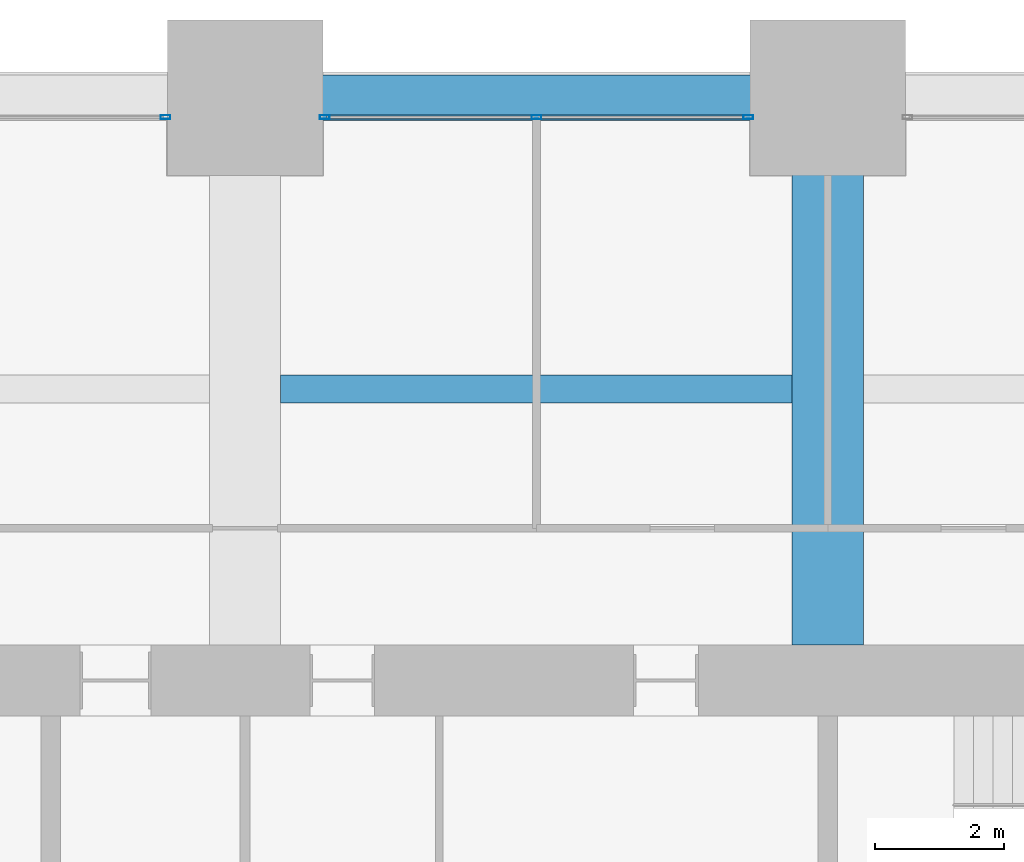
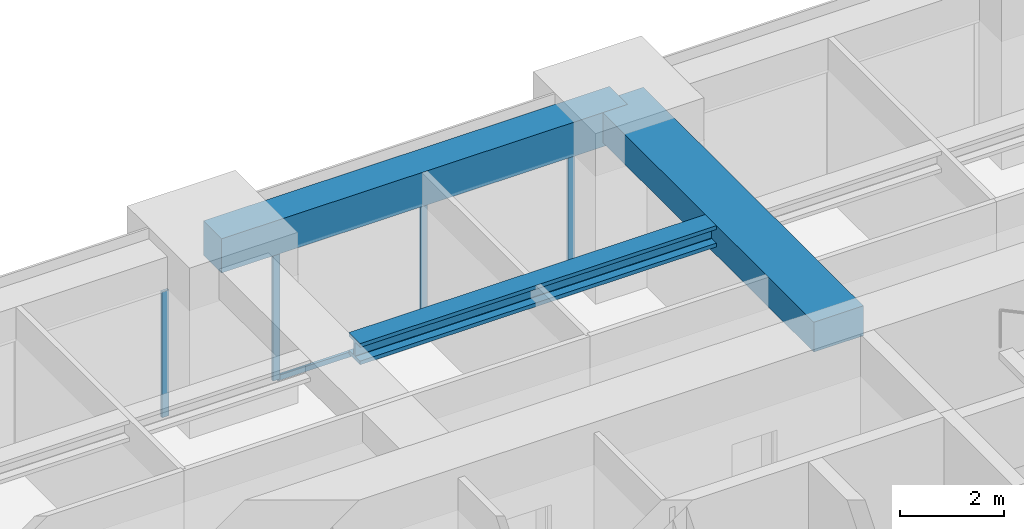
# One storey, part 29 of 41: 5 members, 3 beams, 2 elements without a shape of their own.
"""IFC4 building model written with IfcOpenShell, lengths in metres."""

from ifc_helpers import new_model, si_unit, direction, frame, origin, origin_2d, place, context, subcontext, project, spatial, rectangle, hollow_rectangle, i_section, extrude, material, material_profile, profile_set, type_object, element, aggregate, save


model = new_model("IFC4")

# Units and contexts
model_context = context("Model", 3, precision=1e-05, world=origin(), true_north=direction((0.0, 1.0)))
body_context = subcontext(model_context, "Body", "Model", "MODEL_VIEW")
ifc_project = project(units=[si_unit("LENGTHUNIT", "METRE"), si_unit("AREAUNIT", "SQUARE_METRE"), si_unit("VOLUMEUNIT", "CUBIC_METRE"), si_unit("PLANEANGLEUNIT", "RADIAN"), si_unit("MASSUNIT", "GRAM", prefix="KILO")], contexts=[model_context])

# Site, building, storey
site_placement = place(None, origin())
site = spatial("IfcSite", under=ifc_project, at=site_placement, CompositionType="ELEMENT")
building_placement = place(site_placement, origin())
building = spatial("IfcBuilding", under=site, at=building_placement, Name="Zorevar Civic Tower", CompositionType="ELEMENT")
storey_placement = place(building_placement, frame((0.0, 0.0, 113.0)))
storey = spatial("IfcBuildingStorey", under=building, at=storey_placement, Name="L27", CompositionType="ELEMENT", Elevation=113.0)

# Beam
ifc_material_1 = material(Name="Concrete C50/60", Category="concrete")
ifc_material_profile_1 = material_profile(ifc_material_1, rectangle(XDim=1.10009765625, YDim=0.699951171875, at=origin_2d()), Name="RC 1100x700")
ifc_profile_set_1 = profile_set([ifc_material_profile_1], Name="Concrete C50/60")
beam_type_1 = type_object("IfcBeamType", Name="Beam RC 1100x700", PredefinedType="BEAM", material=ifc_profile_set_1)
beam_1_placement = place(storey_placement, frame((36.0, 36.550048828125, 3.39990234375), z_axis=(0.0, 1.0, 0.0), x_axis=(-1.0, 0.0, 0.0)))
element("IfcBeam", 1, at=beam_1_placement, inside=storey, type_object=beam_type_1, Name="Girder L28", PredefinedType="BEAM", context=body_context, shape_type="SweptSolid", body=[
    extrude(rectangle(XDim=1.10009765625, YDim=0.699951171875, at=origin_2d()), origin(), (0.0, 0.0, 1.0), 8.449951171875),
])

# Curtain wall, member
ifc_material_2 = material(Name="Dark grey solar-control glass in black aluminium frame", Category="aluminium")
curtain_wall_type = type_object("IfcCurtainWallType", Name="Curtain wall CW3 mid zone", PredefinedType="NOTDEFINED", material=ifc_material_2)
curtain_wall_1_placement = place(storey_placement, origin())
curtain_wall_1 = element("IfcCurtainWall", 2, at=curtain_wall_1_placement, inside=storey, type_object=curtain_wall_type, Name="CW3 L27", PredefinedType="NOTDEFINED")
ifc_material_3 = material(Name="Aluminium, black anodised", Category="aluminium")
ifc_material_profile_2 = material_profile(ifc_material_3, hollow_rectangle(XDim=0.06005859375, YDim=0.14990234375, WallThickness=0.00390625, at=origin_2d()), Name="AL 150x60x4")
ifc_profile_set_2 = profile_set([ifc_material_profile_2], Name="Aluminium, black anodised")
member_type_1 = type_object("IfcMemberType", Name="CW3 mullion AL 150x60x4", PredefinedType="MULLION", material=ifc_profile_set_2)
member_1_placement = place(storey_placement, frame((25.77001953125, 44.699951171875, 0.0), z_axis=(0.0, 0.0, 1.0), x_axis=(0.0, 1.0, 0.0)))
member_1 = element("IfcMember", 3, at=member_1_placement, type_object=member_type_1, Name="CW3 mullion 3", PredefinedType="MULLION", context=body_context, shape_type="SweptSolid", body=[
    extrude(hollow_rectangle(XDim=0.06005859375, YDim=0.14990234375, WallThickness=0.00390625, at=origin_2d()), origin(), (0.0, 0.0, 1.0), 2.949951171875),
])
aggregate(curtain_wall_1, [member_1])

# Curtain wall, members
curtain_wall_2_placement = place(storey_placement, origin())
curtain_wall_2 = element("IfcCurtainWall", 4, at=curtain_wall_2_placement, inside=storey, type_object=curtain_wall_type, Name="CW3 L27", PredefinedType="NOTDEFINED")
member_2_placement = place(storey_placement, frame((28.22998046875, 44.699951171875, 0.0), z_axis=(0.0, 0.0, 1.0), x_axis=(0.0, 1.0, 0.0)))
member_2 = element("IfcMember", 5, at=member_2_placement, type_object=member_type_1, Name="CW3 mullion 1", PredefinedType="MULLION", context=body_context, shape_type="SweptSolid", body=[
    extrude(hollow_rectangle(XDim=0.06005859375, YDim=0.14990234375, WallThickness=0.00390625, at=origin_2d()), origin(), (0.0, 0.0, 1.0), 2.949951171875),
])
member_3_placement = place(storey_placement, frame((31.5, 44.699951171875, 0.06005859375), z_axis=(0.0, 0.0, 1.0), x_axis=(0.0, 1.0, 0.0)))
member_3 = element("IfcMember", 6, at=member_3_placement, type_object=member_type_1, Name="CW3 mullion 2", PredefinedType="MULLION", context=body_context, shape_type="SweptSolid", body=[
    extrude(hollow_rectangle(XDim=0.06005859375, YDim=0.14990234375, WallThickness=0.00390625, at=origin_2d()), origin(), (0.0, 0.0, 1.0), 2.889892578125),
])
member_4_placement = place(storey_placement, frame((34.77001953125, 44.699951171875, 0.0), z_axis=(0.0, 0.0, 1.0), x_axis=(0.0, 1.0, 0.0)))
member_4 = element("IfcMember", 7, at=member_4_placement, type_object=member_type_1, Name="CW3 mullion 3", PredefinedType="MULLION", context=body_context, shape_type="SweptSolid", body=[
    extrude(hollow_rectangle(XDim=0.06005859375, YDim=0.14990234375, WallThickness=0.00390625, at=origin_2d()), origin(), (0.0, 0.0, 1.0), 2.949951171875),
])
ifc_material_4 = material(Name="Aluminium, black anodised", Category="aluminium")
ifc_material_profile_3 = material_profile(ifc_material_4, hollow_rectangle(XDim=0.06005859375, YDim=0.1201171875, WallThickness=0.0029296875, at=origin_2d()), Name="AL 120x60x3")
ifc_profile_set_3 = profile_set([ifc_material_profile_3], Name="Aluminium, black anodised")
member_type_2 = type_object("IfcMemberType", Name="CW3 transom AL 120x60x3", PredefinedType="USERDEFINED", material=ifc_profile_set_3)
member_5_placement = place(storey_placement, frame((28.260009765625, 44.699951171875, 0.030029296875), z_axis=(1.0, 0.0, 0.0), x_axis=(0.0, 1.0, 0.0)))
member_5 = element("IfcMember", 8, at=member_5_placement, type_object=member_type_2, Name="CW3 sill transom", ObjectType="TRANSOM", PredefinedType="USERDEFINED", context=body_context, shape_type="SweptSolid", body=[
    extrude(hollow_rectangle(XDim=0.06005859375, YDim=0.1201171875, WallThickness=0.0029296875, at=origin_2d()), origin(), (0.0, 0.0, 1.0), 6.47998046875),
])
aggregate(curtain_wall_2, [member_2, member_3, member_4, member_5])

# Beams
ifc_material_5 = material(Name="Steel S460M (HISTAR 460)", Category="steel")
ifc_material_profile_4 = material_profile(ifc_material_5, i_section(OverallWidth=0.431884765625, OverallDepth=0.498046875, WebThickness=0.0556640625, FlangeThickness=0.0888671875, FilletRadius=0.014892578125, at=origin_2d()), Name="HD 400x744")
ifc_profile_set_4 = profile_set([ifc_material_profile_4], Name="Steel S460M (HISTAR 460)")
beam_type_2 = type_object("IfcBeamType", Name="Core bay beam HD 400x744", PredefinedType="BEAM", material=ifc_profile_set_4)
beam_2_placement = place(storey_placement, frame((27.550048828125, 40.5, 3.5009765625), z_axis=(1.0, 0.0, 0.0), x_axis=(0.0, 1.0, 0.0)))
element("IfcBeam", 9, at=beam_2_placement, inside=storey, type_object=beam_type_2, Name="Secondary beam L28", PredefinedType="BEAM", context=body_context, shape_type="SweptSolid", body=[
    extrude(i_section(OverallWidth=0.431884765625, OverallDepth=0.498046875, WebThickness=0.0556640625, FlangeThickness=0.0888671875, FilletRadius=0.014892578125, at=origin_2d()), origin(), (0.0, 0.0, 1.0), 7.89990234375),
])
ifc_material_6 = material(Name="Concrete C50/60", Category="concrete")
ifc_material_profile_5 = material_profile(ifc_material_6, rectangle(XDim=0.699951171875, YDim=0.800048828125, at=origin_2d()), Name="RC 700x800")
ifc_profile_set_5 = profile_set([ifc_material_profile_5], Name="Concrete C50/60")
beam_type_3 = type_object("IfcBeamType", Name="Edge beam RC 700x800", PredefinedType="SPANDREL", material=ifc_profile_set_5)
beam_3_placement = place(storey_placement, frame((27.0, 45.0, 3.35009765625), z_axis=(1.0, 0.0, 0.0), x_axis=(0.0, 1.0, 0.0)))
element("IfcBeam", 10, at=beam_3_placement, inside=storey, type_object=beam_type_3, Name="Edge beam L28", PredefinedType="SPANDREL", context=body_context, shape_type="SweptSolid", body=[
    extrude(rectangle(XDim=0.699951171875, YDim=0.800048828125, at=origin_2d()), origin(), (0.0, 0.0, 1.0), 9.0),
])

save(model, "model.ifc")
